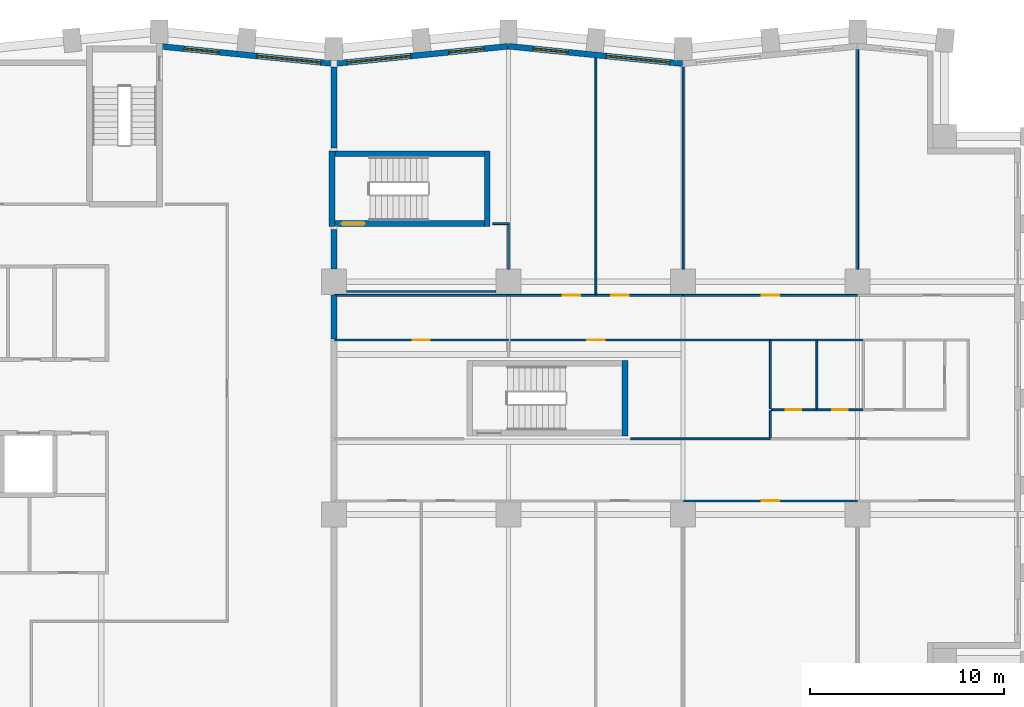
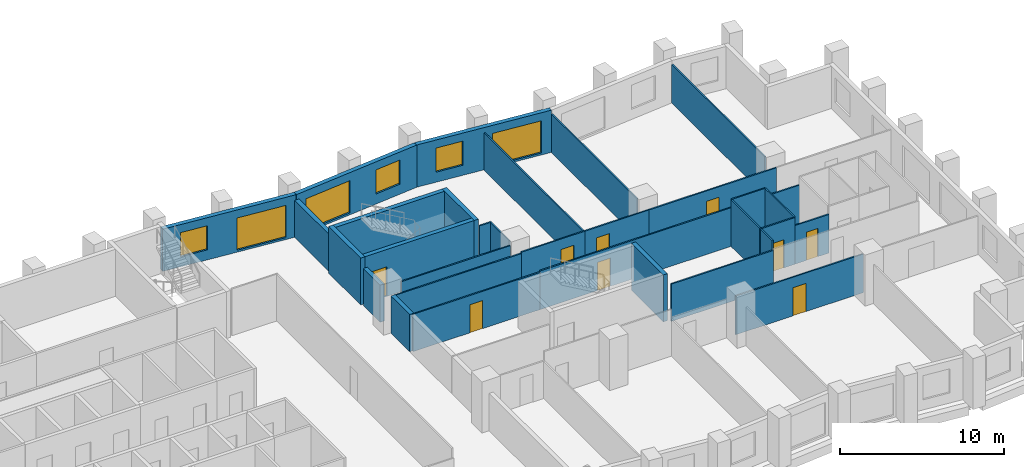
# One storey, part 7 of 11: 32 walls, 9 doors, 6 windows, 15 openings.
"""IFC4 building model written with IfcOpenShell, lengths in metres."""

from ifc_helpers import new_model, si_unit, direction, frame, frame_2d, origin, place, context, subcontext, project, spatial, rectangle, extrude, material, layer, layer_set, type_object, element, fill, save


model = new_model("IFC4")

# Units and contexts
model_context = context("Model", 3, precision=1e-05, world=origin(), true_north=direction((0.0, 1.0)))
body_context = subcontext(model_context, "Body", "Model", "MODEL_VIEW")
ifc_project = project(units=[si_unit("LENGTHUNIT", "METRE"), si_unit("AREAUNIT", "SQUARE_METRE"), si_unit("VOLUMEUNIT", "CUBIC_METRE"), si_unit("PLANEANGLEUNIT", "RADIAN"), si_unit("MASSUNIT", "GRAM", prefix="KILO")], contexts=[model_context])

# Site, building, storey
site_placement = place(None, origin())
site = spatial("IfcSite", under=ifc_project, at=site_placement, CompositionType="ELEMENT")
building_placement = place(site_placement, origin())
building = spatial("IfcBuilding", under=site, at=building_placement, Name="Brondeck Convention Tower", CompositionType="ELEMENT")
storey_placement = place(building_placement, frame((0.0, 0.0, 122.699951171875)))
storey = spatial("IfcBuildingStorey", under=building, at=storey_placement, Name="L29", CompositionType="ELEMENT", Elevation=122.699951171875)

# Walls
ifc_material_1 = material(Name="Concrete compartment wall C30/37", Category="concrete")
ifc_layer_1 = layer(ifc_material_1, 0.300048828125)
ifc_layer_set_1 = layer_set([ifc_layer_1], Name="Compartment wall 300")
wall_type_1 = type_object("IfcWallType", Name="Compartment wall 300", PredefinedType="PARTITIONING", material=ifc_layer_set_1)
wall_1_placement = place(storey_placement, frame((36.0, 48.050048828125, 0.0), z_axis=(0.0, 0.0, 1.0), x_axis=(0.0, 1.0, 0.0)))
element("IfcWall", 1, at=wall_1_placement, inside=storey, type_object=wall_type_1, Name="FLR-L29-W064", PredefinedType="PARTITIONING", context=body_context, shape_type="SweptSolid", body=[
    extrude(rectangle(XDim=2.280029296875, YDim=0.300048828125, at=frame_2d((1.14013671875, 0.0))), origin(), (0.0, 0.0, 1.0), 2.780029296875),
])
wall_2_placement = place(storey_placement, frame((36.0, 51.655029296875, 0.0), z_axis=(0.0, 0.0, 1.0), x_axis=(0.0, 1.0, 0.0)))
element("IfcWall", 2, at=wall_2_placement, inside=storey, type_object=wall_type_1, Name="FLR-L29-W071", PredefinedType="PARTITIONING", context=body_context, shape_type="SweptSolid", body=[
    extrude(rectangle(XDim=2.044921875, YDim=0.300048828125, at=frame_2d((1.0224609375, 0.0))), origin(), (0.0, 0.0, 1.0), 2.780029296875),
])
wall_3_placement = place(storey_placement, frame((36.0, 57.89990234375, 0.0), z_axis=(0.0, 0.0, 1.0), x_axis=(0.0, 1.0, 0.0)))
element("IfcWall", 3, at=wall_3_placement, inside=storey, type_object=wall_type_1, Name="FLR-L29-W076", PredefinedType="PARTITIONING", context=body_context, shape_type="SweptSolid", body=[
    extrude(rectangle(XDim=4.175537109375, YDim=0.300048828125, at=frame_2d((2.087890625, 0.0))), origin(), (0.0, 0.0, 1.0), 2.780029296875),
])

# Wall, openings, windows
ifc_material_2 = material(Name="Precast concrete C50/60 bronze finish", Category="concrete")
ifc_layer_2 = layer(ifc_material_2, 0.070068359375, Name="Bronze precast facing")
ifc_material_3 = material(Name="Mineral wool")
ifc_layer_3 = layer(ifc_material_3, 0.159912109375, Name="Insulation")
ifc_material_4 = material(Name="Concrete C35/45", Category="concrete")
ifc_layer_4 = layer(ifc_material_4, 0.070068359375, Name="Backing")
ifc_layer_set_2 = layer_set([ifc_layer_2, ifc_layer_3, ifc_layer_4], Name="External infill wall, precast concrete C50/60 bronze facing")
wall_type_2 = type_object("IfcWallType", Name="External infill wall, precast concrete C50/60 bronze facing", PredefinedType="SOLIDWALL", material=ifc_layer_set_2)
wall_4_placement = place(storey_placement, frame((44.985107421875, 63.147705078125, 0.0), z_axis=(0.0, 0.0, 1.0), x_axis=(0.995037993253, -0.099495688264, 0.0)))
wall_4 = element("IfcWall", 4, at=wall_4_placement, inside=storey, type_object=wall_type_2, Name="ENV-EW-L29-P0-A-N-11", PredefinedType="SOLIDWALL", context=body_context, shape_type="SweptSolid", body=[
    extrude(rectangle(XDim=9.030029296875, YDim=0.300048828125, at=frame_2d((4.51513671875, 0.0))), origin(), (0.0, 0.0, 1.0), 3.150146484375),
])
opening_1_placement = place(wall_4_placement, frame((1.30126953125, 0.0, 0.75)))
opening_1 = element("IfcOpeningElement", 5, at=opening_1_placement, cuts=wall_4, Name="Opening W10", PredefinedType="OPENING", context=body_context, shape_type="SweptSolid", body=[
    extrude(rectangle(XDim=1.800048828125, YDim=1.800048828125, at=frame_2d((0.89990234375, 0.89990234375))), frame((0.0, 0.159912109375, 0.0), z_axis=(0.0, -1.0, 0.0), x_axis=(1.0, 0.0, 0.0)), (0.0, 0.0, 1.0), 0.320068359375),
])
opening_2_placement = place(wall_4_placement, frame((5.073486328125, 0.0, 0.14990234375)))
opening_2 = element("IfcOpeningElement", 6, at=opening_2_placement, cuts=wall_4, Name="Opening W9", PredefinedType="OPENING", context=body_context, shape_type="SweptSolid", body=[
    extrude(rectangle(XDim=3.300048828125, YDim=2.39990234375, at=frame_2d((1.64990234375, 1.199951171875))), frame((0.0, 0.159912109375, 0.0), z_axis=(0.0, -1.0, 0.0), x_axis=(1.0, 0.0, 0.0)), (0.0, 0.0, 1.0), 0.320068359375),
])
ifc_material_5 = material(Name="Bronze tinted double glazing", Category="glass")
window_type_1 = type_object("IfcWindowType", Name="Glazed flute window, bronze tinted", PartitioningType="SINGLE_PANEL", PredefinedType="WINDOW", material=ifc_material_5)
window_1_placement = place(opening_2_placement, origin())
window_1 = element("IfcWindow", 7, at=window_1_placement, inside=storey, type_object=window_type_1, Name="ENV-WN-L29-P0-A-N-11", OverallHeight=2.39990234375, OverallWidth=3.300048828125, PartitioningType="SINGLE_PANEL", PredefinedType="WINDOW", context=body_context, shape_type="SweptSolid", body=[
    extrude(rectangle(XDim=3.300048828125, YDim=2.39990234375, at=frame_2d((1.64990234375, 1.199951171875))), frame((0.0, 0.030029296875, 0.0), z_axis=(0.0, -1.0, 0.0), x_axis=(1.0, 0.0, 0.0)), (0.0, 0.0, 1.0), 0.06005859375),
])
fill(opening_2, window_1)
window_type_2 = type_object("IfcWindowType", Name="Punched window, bronze tinted", PartitioningType="SINGLE_PANEL", PredefinedType="WINDOW", material=ifc_material_5)
window_2_placement = place(opening_1_placement, origin())
window_2 = element("IfcWindow", 8, at=window_2_placement, inside=storey, type_object=window_type_2, Name="ENV-WN-L29-P0-A-N-10", OverallHeight=1.800048828125, OverallWidth=1.800048828125, PartitioningType="SINGLE_PANEL", PredefinedType="WINDOW", context=body_context, shape_type="SweptSolid", body=[
    extrude(rectangle(XDim=1.800048828125, YDim=1.800048828125, at=frame_2d((0.89990234375, 0.89990234375))), frame((0.0, 0.030029296875, 0.0), z_axis=(0.0, -1.0, 0.0), x_axis=(1.0, 0.0, 0.0)), (0.0, 0.0, 1.0), 0.06005859375),
])
fill(opening_1, window_2)

wall_5_placement = place(storey_placement, frame((35.985107421875, 62.244873046875, 0.0), z_axis=(0.0, 0.0, 1.0), x_axis=(0.995037993253, 0.099495688264, 0.0)))
wall_5 = element("IfcWall", 9, at=wall_5_placement, inside=storey, type_object=wall_type_2, Name="ENV-EW-L29-P0-A-N-09", PredefinedType="SOLIDWALL", context=body_context, shape_type="SweptSolid", body=[
    extrude(rectangle(XDim=9.030029296875, YDim=0.300048828125, at=frame_2d((4.51513671875, 0.0))), origin(), (0.0, 0.0, 1.0), 3.150146484375),
])
opening_3_placement = place(wall_5_placement, frame((0.701171875, 0.0, 0.14990234375)))
opening_3 = element("IfcOpeningElement", 10, at=opening_3_placement, cuts=wall_5, Name="Opening W9", PredefinedType="OPENING", context=body_context, shape_type="SweptSolid", body=[
    extrude(rectangle(XDim=3.300048828125, YDim=2.39990234375, at=frame_2d((1.64990234375, 1.199951171875))), frame((0.0, 0.159912109375, 0.0), z_axis=(0.0, -1.0, 0.0), x_axis=(1.0, 0.0, 0.0)), (0.0, 0.0, 1.0), 0.320068359375),
])
opening_4_placement = place(wall_5_placement, frame((5.9736328125, 0.0, 0.75)))
opening_4 = element("IfcOpeningElement", 11, at=opening_4_placement, cuts=wall_5, Name="Opening W10", PredefinedType="OPENING", context=body_context, shape_type="SweptSolid", body=[
    extrude(rectangle(XDim=1.800048828125, YDim=1.800048828125, at=frame_2d((0.89990234375, 0.89990234375))), frame((0.0, 0.159912109375, 0.0), z_axis=(0.0, -1.0, 0.0), x_axis=(1.0, 0.0, 0.0)), (0.0, 0.0, 1.0), 0.320068359375),
])
window_3_placement = place(opening_3_placement, origin())
window_3 = element("IfcWindow", 12, at=window_3_placement, inside=storey, type_object=window_type_1, Name="ENV-WN-L29-P0-A-N-08", OverallHeight=2.39990234375, OverallWidth=3.300048828125, PartitioningType="SINGLE_PANEL", PredefinedType="WINDOW", context=body_context, shape_type="SweptSolid", body=[
    extrude(rectangle(XDim=3.300048828125, YDim=2.39990234375, at=frame_2d((1.64990234375, 1.199951171875))), frame((0.0, 0.030029296875, 0.0), z_axis=(0.0, -1.0, 0.0), x_axis=(1.0, 0.0, 0.0)), (0.0, 0.0, 1.0), 0.06005859375),
])
fill(opening_3, window_3)
window_4_placement = place(opening_4_placement, origin())
window_4 = element("IfcWindow", 13, at=window_4_placement, inside=storey, type_object=window_type_2, Name="ENV-WN-L29-P0-A-N-09", OverallHeight=1.800048828125, OverallWidth=1.800048828125, PartitioningType="SINGLE_PANEL", PredefinedType="WINDOW", context=body_context, shape_type="SweptSolid", body=[
    extrude(rectangle(XDim=1.800048828125, YDim=1.800048828125, at=frame_2d((0.89990234375, 0.89990234375))), frame((0.0, 0.030029296875, 0.0), z_axis=(0.0, -1.0, 0.0), x_axis=(1.0, 0.0, 0.0)), (0.0, 0.0, 1.0), 0.06005859375),
])
fill(opening_4, window_4)

wall_6_placement = place(storey_placement, frame((27.07470703125, 63.138916015625, 0.0), z_axis=(0.0, 0.0, 1.0), x_axis=(0.995036108601, -0.099514534519, 0.0)))
wall_6 = element("IfcWall", 14, at=wall_6_placement, inside=storey, type_object=wall_type_2, Name="ENV-EW-L29-P0-A-N-07", PredefinedType="SOLIDWALL", context=body_context, shape_type="SweptSolid", body=[
    extrude(rectangle(XDim=8.93994140625, YDim=0.300048828125, at=frame_2d((4.469970703125, 0.0))), origin(), (0.0, 0.0, 1.0), 3.150146484375),
])
opening_5_placement = place(wall_6_placement, frame((1.211181640625, 0.0, 0.75)))
opening_5 = element("IfcOpeningElement", 15, at=opening_5_placement, cuts=wall_6, Name="Opening W10", PredefinedType="OPENING", context=body_context, shape_type="SweptSolid", body=[
    extrude(rectangle(XDim=1.800048828125, YDim=1.800048828125, at=frame_2d((0.89990234375, 0.89990234375))), frame((0.0, 0.159912109375, 0.0), z_axis=(0.0, -1.0, 0.0), x_axis=(1.0, 0.0, 0.0)), (0.0, 0.0, 1.0), 0.320068359375),
])
opening_6_placement = place(wall_6_placement, frame((4.983642578125, 0.0, 0.14990234375)))
opening_6 = element("IfcOpeningElement", 16, at=opening_6_placement, cuts=wall_6, Name="Opening W9", PredefinedType="OPENING", context=body_context, shape_type="SweptSolid", body=[
    extrude(rectangle(XDim=3.300048828125, YDim=2.39990234375, at=frame_2d((1.64990234375, 1.199951171875))), frame((0.0, 0.159912109375, 0.0), z_axis=(0.0, -1.0, 0.0), x_axis=(1.0, 0.0, 0.0)), (0.0, 0.0, 1.0), 0.320068359375),
])
window_5_placement = place(opening_6_placement, origin())
window_5 = element("IfcWindow", 17, at=window_5_placement, inside=storey, type_object=window_type_1, Name="ENV-WN-L29-P0-A-N-07", OverallHeight=2.39990234375, OverallWidth=3.300048828125, PartitioningType="SINGLE_PANEL", PredefinedType="WINDOW", context=body_context, shape_type="SweptSolid", body=[
    extrude(rectangle(XDim=3.300048828125, YDim=2.39990234375, at=frame_2d((1.64990234375, 1.199951171875))), frame((0.0, 0.030029296875, 0.0), z_axis=(0.0, -1.0, 0.0), x_axis=(1.0, 0.0, 0.0)), (0.0, 0.0, 1.0), 0.06005859375),
])
fill(opening_6, window_5)
window_6_placement = place(opening_5_placement, origin())
window_6 = element("IfcWindow", 18, at=window_6_placement, inside=storey, type_object=window_type_2, Name="ENV-WN-L29-P0-A-N-06", OverallHeight=1.800048828125, OverallWidth=1.800048828125, PartitioningType="SINGLE_PANEL", PredefinedType="WINDOW", context=body_context, shape_type="SweptSolid", body=[
    extrude(rectangle(XDim=1.800048828125, YDim=1.800048828125, at=frame_2d((0.89990234375, 0.89990234375))), frame((0.0, 0.030029296875, 0.0), z_axis=(0.0, -1.0, 0.0), x_axis=(1.0, 0.0, 0.0)), (0.0, 0.0, 1.0), 0.06005859375),
])
fill(opening_5, window_6)

# Wall, opening, door
ifc_material_6 = material(Name="Gypsum board partition on steel studs", Category="steel")
ifc_layer_5 = layer(ifc_material_6, 0.10009765625)
ifc_layer_set_3 = layer_set([ifc_layer_5], Name="Room partition 100")
wall_type_3 = type_object("IfcWallType", Name="Room partition 100", PredefinedType="PARTITIONING", material=ifc_layer_set_3)
wall_7_placement = place(storey_placement, frame((63.0, 39.699951171875, 0.0), z_axis=(0.0, 0.0, 1.0), x_axis=(-1.0, 0.0, 0.0)))
wall_7 = element("IfcWall", 19, at=wall_7_placement, inside=storey, type_object=wall_type_3, Name="FLR-L29-W038", PredefinedType="PARTITIONING", context=body_context, shape_type="SweptSolid", body=[
    extrude(rectangle(XDim=9.0, YDim=0.10009765625, at=frame_2d((4.5, 0.0))), origin(), (0.0, 0.0, 1.0), 2.880126953125),
])
opening_7_placement = place(wall_7_placement, frame((4.050048828125, 0.0, 0.0)))
opening_7 = element("IfcOpeningElement", 20, at=opening_7_placement, cuts=wall_7, Name="Opening OF-D-012", PredefinedType="OPENING", context=body_context, shape_type="SweptSolid", body=[
    extrude(rectangle(XDim=0.89990234375, YDim=2.10009765625, at=frame_2d((0.449951171875, 1.050048828125))), frame((0.0, 0.06005859375, 0.0), z_axis=(0.0, -1.0, 0.0), x_axis=(1.0, 0.0, 0.0)), (0.0, 0.0, 1.0), 0.1201171875),
])
ifc_material_7 = material(Name="Solid timber door leaf", Category="wood")
door_type_1 = type_object("IfcDoorType", Name="Single door 900", OperationType="NOTDEFINED", PredefinedType="DOOR", material=ifc_material_7)
door_1_placement = place(opening_7_placement, origin())
door_1 = element("IfcDoor", 21, at=door_1_placement, inside=storey, type_object=door_type_1, Name="Door OF-D-012", OperationType="SINGLE_SWING_LEFT", OverallHeight=2.10009765625, OverallWidth=0.89990234375, PredefinedType="DOOR", context=body_context, shape_type="SweptSolid", body=[
    extrude(rectangle(XDim=0.89990234375, YDim=2.10009765625, at=frame_2d((0.449951171875, 1.050048828125))), frame((0.0, 0.02490234375, 0.0), z_axis=(0.0, -1.0, 0.0), x_axis=(1.0, 0.0, 0.0)), (0.0, 0.0, 1.0), 0.050048828125),
])
fill(opening_7, door_1)

# Walls
wall_8_placement = place(storey_placement, frame((51.300048828125, 42.89990234375, 0.0), z_axis=(0.0, 0.0, 1.0), x_axis=(1.0, 0.0, 0.0)))
element("IfcWall", 22, at=wall_8_placement, inside=storey, type_object=wall_type_3, Name="FLR-L29-W042", PredefinedType="PARTITIONING", context=body_context, shape_type="SweptSolid", body=[
    extrude(rectangle(XDim=7.199951171875, YDim=0.10009765625, at=frame_2d((3.60009765625, 0.0))), origin(), (0.0, 0.0, 1.0), 2.780029296875),
])
wall_9_placement = place(storey_placement, frame((58.5, 44.35009765625, 0.0), z_axis=(0.0, 0.0, 1.0), x_axis=(0.0, -1.0, 0.0)))
element("IfcWall", 23, at=wall_9_placement, inside=storey, type_object=wall_type_3, Name="FLR-L29-W046", PredefinedType="PARTITIONING", context=body_context, shape_type="SweptSolid", body=[
    extrude(rectangle(XDim=1.400146484375, YDim=0.10009765625, at=frame_2d((0.7001953125, 0.0))), origin(), (0.0, 0.0, 1.0), 3.47998046875),
])

# Wall, opening, door
wall_10_placement = place(storey_placement, frame((58.550048828125, 44.39990234375, 0.0), z_axis=(0.0, 0.0, 1.0), x_axis=(1.0, 0.0, 0.0)))
wall_10 = element("IfcWall", 24, at=wall_10_placement, inside=storey, type_object=wall_type_3, Name="FLR-L29-W047", PredefinedType="PARTITIONING", context=body_context, shape_type="SweptSolid", body=[
    extrude(rectangle(XDim=2.349853515625, YDim=0.10009765625, at=frame_2d((1.1748046875, 0.0))), origin(), (0.0, 0.0, 1.0), 3.47998046875),
])
opening_8_placement = place(wall_10_placement, frame((0.75, 0.0, 0.0)))
opening_8 = element("IfcOpeningElement", 25, at=opening_8_placement, cuts=wall_10, Name="Opening OF-D-005", PredefinedType="OPENING", context=body_context, shape_type="SweptSolid", body=[
    extrude(rectangle(XDim=0.800048828125, YDim=2.10009765625, at=frame_2d((0.39990234375, 1.050048828125))), frame((0.0, 0.06005859375, 0.0), z_axis=(0.0, -1.0, 0.0), x_axis=(1.0, 0.0, 0.0)), (0.0, 0.0, 1.0), 0.1201171875),
])
door_type_2 = type_object("IfcDoorType", Name="En-suite door 800", OperationType="NOTDEFINED", PredefinedType="DOOR", material=ifc_material_7)
door_2_placement = place(opening_8_placement, origin())
door_2 = element("IfcDoor", 26, at=door_2_placement, inside=storey, type_object=door_type_2, Name="Door OF-D-005", OperationType="SINGLE_SWING_LEFT", OverallHeight=2.10009765625, OverallWidth=0.800048828125, PredefinedType="DOOR", context=body_context, shape_type="SweptSolid", body=[
    extrude(rectangle(XDim=0.800048828125, YDim=2.10009765625, at=frame_2d((0.39990234375, 1.050048828125))), frame((0.0, 0.02490234375, 0.0), z_axis=(0.0, -1.0, 0.0), x_axis=(1.0, 0.0, 0.0)), (0.0, 0.0, 1.0), 0.050048828125),
])
fill(opening_8, door_2)

wall_11_placement = place(storey_placement, frame((60.89990234375, 44.39990234375, 0.0), z_axis=(0.0, 0.0, 1.0), x_axis=(1.0, 0.0, 0.0)))
wall_11 = element("IfcWall", 27, at=wall_11_placement, inside=storey, type_object=wall_type_3, Name="FLR-L29-W048", PredefinedType="PARTITIONING", context=body_context, shape_type="SweptSolid", body=[
    extrude(rectangle(XDim=2.400146484375, YDim=0.10009765625, at=frame_2d((1.2001953125, 0.0))), origin(), (0.0, 0.0, 1.0), 2.880126953125),
])
opening_9_placement = place(wall_11_placement, frame((0.800048828125, 0.0, 0.0)))
opening_9 = element("IfcOpeningElement", 28, at=opening_9_placement, cuts=wall_11, Name="Opening OF-D-006", PredefinedType="OPENING", context=body_context, shape_type="SweptSolid", body=[
    extrude(rectangle(XDim=0.800048828125, YDim=2.10009765625, at=frame_2d((0.39990234375, 1.050048828125))), frame((0.0, 0.06005859375, 0.0), z_axis=(0.0, -1.0, 0.0), x_axis=(1.0, 0.0, 0.0)), (0.0, 0.0, 1.0), 0.1201171875),
])
door_3_placement = place(opening_9_placement, origin())
door_3 = element("IfcDoor", 29, at=door_3_placement, inside=storey, type_object=door_type_2, Name="Door OF-D-006", OperationType="SINGLE_SWING_RIGHT", OverallHeight=2.10009765625, OverallWidth=0.800048828125, PredefinedType="DOOR", context=body_context, shape_type="SweptSolid", body=[
    extrude(rectangle(XDim=0.800048828125, YDim=2.10009765625, at=frame_2d((0.39990234375, 1.050048828125))), frame((0.0, 0.02490234375, 0.0), z_axis=(0.0, -1.0, 0.0), x_axis=(1.0, 0.0, 0.0)), (0.0, 0.0, 1.0), 0.050048828125),
])
fill(opening_9, door_3)

# Walls
for number, where, z_axis, x_axis, name in (
    (30, (58.5, 47.949951171875, 0.0), (0.0, 0.0, 1.0), (0.0, -1.0, 0.0), "FLR-L29-W053"),
    (31, (60.89990234375, 47.949951171875, 0.0), (0.0, 0.0, 1.0), (0.0, -1.0, 0.0), "FLR-L29-W054"),
):
    element("IfcWall", number, at=place(storey_placement, frame(where, z_axis=z_axis, x_axis=x_axis)), inside=storey, type_object=wall_type_3, Name=name, PredefinedType="PARTITIONING", context=body_context, shape_type="SweptSolid", body=[
        extrude(rectangle(XDim=3.5, YDim=0.10009765625, at=frame_2d((1.75, 0.0))), origin(), (0.0, 0.0, 1.0), 3.47998046875),
    ])

# Wall, opening, door
wall_12_placement = place(storey_placement, frame((45.0, 48.0, 0.0), z_axis=(0.0, 0.0, 1.0), x_axis=(-1.0, 0.0, 0.0)))
wall_12 = element("IfcWall", 32, at=wall_12_placement, inside=storey, type_object=wall_type_3, Name="FLR-L29-W057", PredefinedType="PARTITIONING", context=body_context, shape_type="SweptSolid", body=[
    extrude(rectangle(XDim=8.949951171875, YDim=0.10009765625, at=frame_2d((4.47509765625, 0.0))), origin(), (0.0, 0.0, 1.0), 2.780029296875),
])
opening_10_placement = place(wall_12_placement, frame((4.050048828125, 0.0, 0.0)))
opening_10 = element("IfcOpeningElement", 33, at=opening_10_placement, cuts=wall_12, Name="Opening OF-D-002", PredefinedType="OPENING", context=body_context, shape_type="SweptSolid", body=[
    extrude(rectangle(XDim=0.89990234375, YDim=2.10009765625, at=frame_2d((0.449951171875, 1.050048828125))), frame((0.0, 0.06005859375, 0.0), z_axis=(0.0, -1.0, 0.0), x_axis=(1.0, 0.0, 0.0)), (0.0, 0.0, 1.0), 0.1201171875),
])
door_4_placement = place(opening_10_placement, origin())
door_4 = element("IfcDoor", 34, at=door_4_placement, inside=storey, type_object=door_type_1, Name="Door OF-D-002", OperationType="SINGLE_SWING_RIGHT", OverallHeight=2.10009765625, OverallWidth=0.89990234375, PredefinedType="DOOR", context=body_context, shape_type="SweptSolid", body=[
    extrude(rectangle(XDim=0.89990234375, YDim=2.10009765625, at=frame_2d((0.449951171875, 1.050048828125))), frame((0.0, 0.02490234375, 0.0), z_axis=(0.0, -1.0, 0.0), x_axis=(1.0, 0.0, 0.0)), (0.0, 0.0, 1.0), 0.050048828125),
])
fill(opening_10, door_4)

wall_13_placement = place(storey_placement, frame((58.5, 48.0, 0.0), z_axis=(0.0, 0.0, 1.0), x_axis=(-1.0, 0.0, 0.0)))
wall_13 = element("IfcWall", 35, at=wall_13_placement, inside=storey, type_object=wall_type_3, Name="FLR-L29-W058", PredefinedType="PARTITIONING", context=body_context, shape_type="SweptSolid", body=[
    extrude(rectangle(XDim=13.5, YDim=0.10009765625, at=frame_2d((6.75, 0.0))), origin(), (0.0, 0.0, 1.0), 2.880126953125),
])
opening_11_placement = place(wall_13_placement, frame((8.550048828125, 0.0, 0.0)))
opening_11 = element("IfcOpeningElement", 36, at=opening_11_placement, cuts=wall_13, Name="Opening OF-D-003", PredefinedType="OPENING", context=body_context, shape_type="SweptSolid", body=[
    extrude(rectangle(XDim=0.89990234375, YDim=2.10009765625, at=frame_2d((0.449951171875, 1.050048828125))), frame((0.0, 0.06005859375, 0.0), z_axis=(0.0, -1.0, 0.0), x_axis=(1.0, 0.0, 0.0)), (0.0, 0.0, 1.0), 0.1201171875),
])
door_5_placement = place(opening_11_placement, origin())
door_5 = element("IfcDoor", 37, at=door_5_placement, inside=storey, type_object=door_type_1, Name="Door OF-D-003", OperationType="SINGLE_SWING_RIGHT", OverallHeight=2.10009765625, OverallWidth=0.89990234375, PredefinedType="DOOR", context=body_context, shape_type="SweptSolid", body=[
    extrude(rectangle(XDim=0.89990234375, YDim=2.10009765625, at=frame_2d((0.449951171875, 1.050048828125))), frame((0.0, 0.02490234375, 0.0), z_axis=(0.0, -1.0, 0.0), x_axis=(1.0, 0.0, 0.0)), (0.0, 0.0, 1.0), 0.050048828125),
])
fill(opening_11, door_5)

# Walls
wall_14_placement = place(storey_placement, frame((60.89990234375, 48.0, 0.0), z_axis=(0.0, 0.0, 1.0), x_axis=(-1.0, 0.0, 0.0)))
element("IfcWall", 38, at=wall_14_placement, inside=storey, type_object=wall_type_3, Name="FLR-L29-W059", PredefinedType="PARTITIONING", context=body_context, shape_type="SweptSolid", body=[
    extrude(rectangle(XDim=2.39990234375, YDim=0.10009765625, at=frame_2d((1.199951171875, 0.0))), origin(), (0.0, 0.0, 1.0), 3.47998046875),
])
wall_15_placement = place(storey_placement, frame((63.300048828125, 48.0, 0.0), z_axis=(0.0, 0.0, 1.0), x_axis=(-1.0, 0.0, 0.0)))
element("IfcWall", 39, at=wall_15_placement, inside=storey, type_object=wall_type_3, Name="FLR-L29-W060", PredefinedType="PARTITIONING", context=body_context, shape_type="SweptSolid", body=[
    extrude(rectangle(XDim=2.400146484375, YDim=0.10009765625, at=frame_2d((1.2001953125, 0.0))), origin(), (0.0, 0.0, 1.0), 2.880126953125),
])
wall_16_placement = place(storey_placement, frame((36.050048828125, 50.300048828125, 0.0), z_axis=(0.0, 0.0, 1.0), x_axis=(1.0, 0.0, 0.0)))
element("IfcWall", 40, at=wall_16_placement, inside=storey, type_object=wall_type_3, Name="FLR-L29-W065", PredefinedType="PARTITIONING", context=body_context, shape_type="SweptSolid", body=[
    extrude(rectangle(XDim=8.949951171875, YDim=0.10009765625, at=frame_2d((4.47509765625, 0.0))), origin(), (0.0, 0.0, 1.0), 2.780029296875),
])

# Wall, opening, door
wall_17_placement = place(storey_placement, frame((45.0, 50.300048828125, 0.0), z_axis=(0.0, 0.0, 1.0), x_axis=(1.0, 0.0, 0.0)))
wall_17 = element("IfcWall", 41, at=wall_17_placement, inside=storey, type_object=wall_type_3, Name="FLR-L29-W066", PredefinedType="PARTITIONING", context=body_context, shape_type="SweptSolid", body=[
    extrude(rectangle(XDim=4.5, YDim=0.10009765625, at=frame_2d((2.25, 0.0))), origin(), (0.0, 0.0, 1.0), 2.880126953125),
])
opening_12_placement = place(wall_17_placement, frame((2.799072265625, 0.0, 0.0)))
opening_12 = element("IfcOpeningElement", 42, at=opening_12_placement, cuts=wall_17, Name="Opening OF-D-014", PredefinedType="OPENING", context=body_context, shape_type="SweptSolid", body=[
    extrude(rectangle(XDim=0.89990234375, YDim=2.10009765625, at=frame_2d((0.449951171875, 1.050048828125))), frame((0.0, 0.06005859375, 0.0), z_axis=(0.0, -1.0, 0.0), x_axis=(1.0, 0.0, 0.0)), (0.0, 0.0, 1.0), 0.1201171875),
])
door_6_placement = place(opening_12_placement, origin())
door_6 = element("IfcDoor", 43, at=door_6_placement, inside=storey, type_object=door_type_1, Name="Door OF-D-014", OperationType="SINGLE_SWING_LEFT", OverallHeight=2.10009765625, OverallWidth=0.89990234375, PredefinedType="DOOR", context=body_context, shape_type="SweptSolid", body=[
    extrude(rectangle(XDim=0.89990234375, YDim=2.10009765625, at=frame_2d((0.449951171875, 1.050048828125))), frame((0.0, 0.02490234375, 0.0), z_axis=(0.0, -1.0, 0.0), x_axis=(1.0, 0.0, 0.0)), (0.0, 0.0, 1.0), 0.050048828125),
])
fill(opening_12, door_6)

wall_18_placement = place(storey_placement, frame((49.5, 50.300048828125, 0.0), z_axis=(0.0, 0.0, 1.0), x_axis=(1.0, 0.0, 0.0)))
wall_18 = element("IfcWall", 44, at=wall_18_placement, inside=storey, type_object=wall_type_3, Name="FLR-L29-W067", PredefinedType="PARTITIONING", context=body_context, shape_type="SweptSolid", body=[
    extrude(rectangle(XDim=4.5, YDim=0.10009765625, at=frame_2d((2.25, 0.0))), origin(), (0.0, 0.0, 1.0), 2.880126953125),
])
opening_13_placement = place(wall_18_placement, frame((0.801025390625, 0.0, 0.0)))
opening_13 = element("IfcOpeningElement", 45, at=opening_13_placement, cuts=wall_18, Name="Opening OF-D-015", PredefinedType="OPENING", context=body_context, shape_type="SweptSolid", body=[
    extrude(rectangle(XDim=0.89990234375, YDim=2.10009765625, at=frame_2d((0.449951171875, 1.050048828125))), frame((0.0, 0.06005859375, 0.0), z_axis=(0.0, -1.0, 0.0), x_axis=(1.0, 0.0, 0.0)), (0.0, 0.0, 1.0), 0.1201171875),
])
door_7_placement = place(opening_13_placement, origin())
door_7 = element("IfcDoor", 46, at=door_7_placement, inside=storey, type_object=door_type_1, Name="Door OF-D-015", OperationType="SINGLE_SWING_LEFT", OverallHeight=2.10009765625, OverallWidth=0.89990234375, PredefinedType="DOOR", context=body_context, shape_type="SweptSolid", body=[
    extrude(rectangle(XDim=0.89990234375, YDim=2.10009765625, at=frame_2d((0.449951171875, 1.050048828125))), frame((0.0, 0.02490234375, 0.0), z_axis=(0.0, -1.0, 0.0), x_axis=(1.0, 0.0, 0.0)), (0.0, 0.0, 1.0), 0.050048828125),
])
fill(opening_13, door_7)

wall_19_placement = place(storey_placement, frame((54.0, 50.300048828125, 0.0), z_axis=(0.0, 0.0, 1.0), x_axis=(1.0, 0.0, 0.0)))
wall_19 = element("IfcWall", 47, at=wall_19_placement, inside=storey, type_object=wall_type_3, Name="FLR-L29-W068", PredefinedType="PARTITIONING", context=body_context, shape_type="SweptSolid", body=[
    extrude(rectangle(XDim=9.0, YDim=0.10009765625, at=frame_2d((4.5, 0.0))), origin(), (0.0, 0.0, 1.0), 2.880126953125),
])
opening_14_placement = place(wall_19_placement, frame((4.050048828125, 0.0, 0.0)))
opening_14 = element("IfcOpeningElement", 48, at=opening_14_placement, cuts=wall_19, Name="Opening OF-D-016", PredefinedType="OPENING", context=body_context, shape_type="SweptSolid", body=[
    extrude(rectangle(XDim=0.89990234375, YDim=2.10009765625, at=frame_2d((0.449951171875, 1.050048828125))), frame((0.0, 0.06005859375, 0.0), z_axis=(0.0, -1.0, 0.0), x_axis=(1.0, 0.0, 0.0)), (0.0, 0.0, 1.0), 0.1201171875),
])
door_8_placement = place(opening_14_placement, origin())
door_8 = element("IfcDoor", 49, at=door_8_placement, inside=storey, type_object=door_type_1, Name="Door OF-D-016", OperationType="SINGLE_SWING_LEFT", OverallHeight=2.10009765625, OverallWidth=0.89990234375, PredefinedType="DOOR", context=body_context, shape_type="SweptSolid", body=[
    extrude(rectangle(XDim=0.89990234375, YDim=2.10009765625, at=frame_2d((0.449951171875, 1.050048828125))), frame((0.0, 0.02490234375, 0.0), z_axis=(0.0, -1.0, 0.0), x_axis=(1.0, 0.0, 0.0)), (0.0, 0.0, 1.0), 0.050048828125),
])
fill(opening_14, door_8)

# Walls
wall_20_placement = place(storey_placement, frame((44.344970703125, 50.5, 0.0), z_axis=(0.0, 0.0, 1.0), x_axis=(-1.0, 0.0, 0.0)))
element("IfcWall", 50, at=wall_20_placement, inside=storey, type_object=wall_type_3, Name="FLR-L29-W070", PredefinedType="PARTITIONING", context=body_context, shape_type="SweptSolid", body=[
    extrude(rectangle(XDim=7.68994140625, YDim=0.10009765625, at=frame_2d((3.844970703125, 0.0))), origin(), (0.0, 0.0, 1.0), 3.47998046875),
])
wall_21_placement = place(storey_placement, frame((45.0, 53.949951171875, 0.0), z_axis=(0.0, 0.0, 1.0), x_axis=(0.0, -1.0, 0.0)))
element("IfcWall", 51, at=wall_21_placement, inside=storey, type_object=wall_type_3, Name="FLR-L29-W072", PredefinedType="PARTITIONING", context=body_context, shape_type="SweptSolid", body=[
    extrude(rectangle(XDim=2.294921875, YDim=0.10009765625, at=frame_2d((1.1474609375, 0.0))), origin(), (0.0, 0.0, 1.0), 2.880126953125),
])
wall_22_placement = place(storey_placement, frame((44.199951171875, 54.0, 0.0), z_axis=(0.0, 0.0, 1.0), x_axis=(1.0, 0.0, 0.0)))
element("IfcWall", 52, at=wall_22_placement, inside=storey, type_object=wall_type_3, Name="FLR-L29-W073", PredefinedType="PARTITIONING", context=body_context, shape_type="SweptSolid", body=[
    extrude(rectangle(XDim=0.85009765625, YDim=0.10009765625, at=frame_2d((0.425048828125, 0.0))), origin(), (0.0, 0.0, 1.0), 2.880126953125),
])
wall_23_placement = place(storey_placement, frame((54.0, 62.075439453125, 0.0), z_axis=(0.0, 0.0, 1.0), x_axis=(0.0, -1.0, 0.0)))
element("IfcWall", 53, at=wall_23_placement, inside=storey, type_object=wall_type_3, Name="FLR-L29-W077", PredefinedType="PARTITIONING", context=body_context, shape_type="SweptSolid", body=[
    extrude(rectangle(XDim=10.42041015625, YDim=0.10009765625, at=frame_2d((5.210205078125, 0.0))), origin(), (0.0, 0.0, 1.0), 2.880126953125),
])
wall_24_placement = place(storey_placement, frame((49.5, 62.525390625, 0.0), z_axis=(0.0, 0.0, 1.0), x_axis=(0.0, -1.0, 0.0)))
element("IfcWall", 54, at=wall_24_placement, inside=storey, type_object=wall_type_3, Name="FLR-L29-W078", PredefinedType="PARTITIONING", context=body_context, shape_type="SweptSolid", body=[
    extrude(rectangle(XDim=12.17529296875, YDim=0.10009765625, at=frame_2d((6.087646484375, 0.0))), origin(), (0.0, 0.0, 1.0), 2.780029296875),
])
wall_25_placement = place(storey_placement, frame((63.0, 62.9755859375, 0.0), z_axis=(0.0, 0.0, 1.0), x_axis=(0.0, -1.0, 0.0)))
element("IfcWall", 55, at=wall_25_placement, inside=storey, type_object=wall_type_3, Name="FLR-L29-W079", PredefinedType="PARTITIONING", context=body_context, shape_type="SweptSolid", body=[
    extrude(rectangle(XDim=11.320556640625, YDim=0.10009765625, at=frame_2d((5.66015625, 0.0))), origin(), (0.0, 0.0, 1.0), 2.880126953125),
])

# Wall, opening, door
ifc_material_8 = material(Name="Concrete C70/85", Category="concrete")
ifc_layer_6 = layer(ifc_material_8, 0.300048828125)
ifc_layer_set_4 = layer_set([ifc_layer_6], Name="Stair enclosure wall 300 Concrete C70/85")
wall_type_4 = type_object("IfcWallType", Name="Stair enclosure wall 300 Concrete C70/85", PredefinedType="SHEAR", material=ifc_layer_set_4)
wall_26_placement = place(storey_placement, frame((36.050048828125, 54.0, 0.0), z_axis=(0.0, 0.0, 1.0), x_axis=(1.0, 0.0, 0.0)))
wall_26 = element("IfcWall", 56, at=wall_26_placement, inside=storey, type_object=wall_type_4, Name="L29 core wall", PredefinedType="SHEAR", context=body_context, shape_type="SweptSolid", body=[
    extrude(rectangle(XDim=7.699951171875, YDim=0.300048828125, at=frame_2d((3.85009765625, 0.0))), origin(), (0.0, 0.0, 1.0), 3.5),
])
opening_15_placement = place(wall_26_placement, frame((0.35009765625, 0.0, 0.0)))
opening_15 = element("IfcOpeningElement", 57, at=opening_15_placement, cuts=wall_26, Name="Opening C17-18", PredefinedType="OPENING", context=body_context, shape_type="SweptSolid", body=[
    extrude(rectangle(XDim=1.199951171875, YDim=2.199951171875, at=frame_2d((0.60009765625, 1.10009765625))), frame((0.0, 0.159912109375, 0.0), z_axis=(0.0, -1.0, 0.0), x_axis=(1.0, 0.0, 0.0)), (0.0, 0.0, 1.0), 0.320068359375),
])
ifc_material_9 = material(Name="Steel fire door", Category="steel")
door_type_3 = type_object("IfcDoorType", Name="Stair door 1200x2200 EI 90", OperationType="NOTDEFINED", PredefinedType="DOOR", material=ifc_material_9)
door_9_placement = place(opening_15_placement, origin())
door_9 = element("IfcDoor", 58, at=door_9_placement, inside=storey, type_object=door_type_3, Name="L29 Stair door ST-AE", OperationType="SINGLE_SWING_LEFT", OverallHeight=2.199951171875, OverallWidth=1.199951171875, PredefinedType="DOOR", context=body_context, shape_type="SweptSolid", body=[
    extrude(rectangle(XDim=1.199951171875, YDim=2.199951171875, at=frame_2d((0.60009765625, 1.10009765625))), frame((0.0, 0.02490234375, 0.0), z_axis=(0.0, -1.0, 0.0), x_axis=(1.0, 0.0, 0.0)), (0.0, 0.0, 1.0), 0.050048828125),
])
fill(opening_15, door_9)

# Walls
wall_27_placement = place(storey_placement, frame((36.050048828125, 57.60009765625, 0.0), z_axis=(0.0, 0.0, 1.0), x_axis=(1.0, 0.0, 0.0)))
element("IfcWall", 59, at=wall_27_placement, inside=storey, type_object=wall_type_4, Name="L29 core wall", PredefinedType="SHEAR", context=body_context, shape_type="SweptSolid", body=[
    extrude(rectangle(XDim=7.699951171875, YDim=0.300048828125, at=frame_2d((3.85009765625, 0.0))), origin(), (0.0, 0.0, 1.0), 3.5),
])
for number, where, z_axis, x_axis, name in (
    (60, (35.89990234375, 53.85009765625, 0.0), (0.0, 0.0, 1.0), (0.0, 1.0, 0.0), "L29 core wall"),
    (61, (43.89990234375, 53.85009765625, 0.0), (0.0, 0.0, 1.0), (0.0, 1.0, 0.0), "L29 core wall"),
    (62, (51.0, 43.050048828125, 0.0), (0.0, 0.0, 1.0), (0.0, 1.0, 0.0), "L29 core wall"),
):
    element("IfcWall", number, at=place(storey_placement, frame(where, z_axis=z_axis, x_axis=x_axis)), inside=storey, type_object=wall_type_4, Name=name, PredefinedType="SHEAR", context=body_context, shape_type="SweptSolid", body=[
        extrude(rectangle(XDim=3.89990234375, YDim=0.300048828125, at=frame_2d((1.949951171875, 0.0))), origin(), (0.0, 0.0, 1.0), 3.5),
    ])

save(model, "model.ifc")
